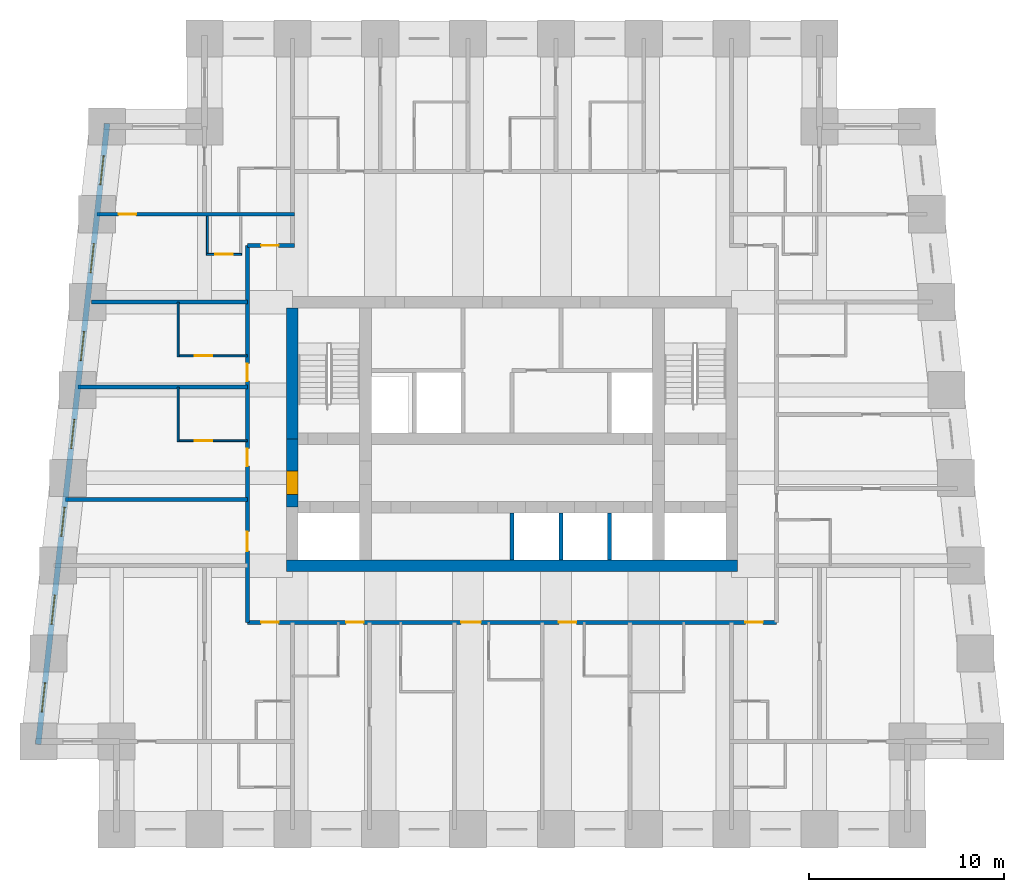
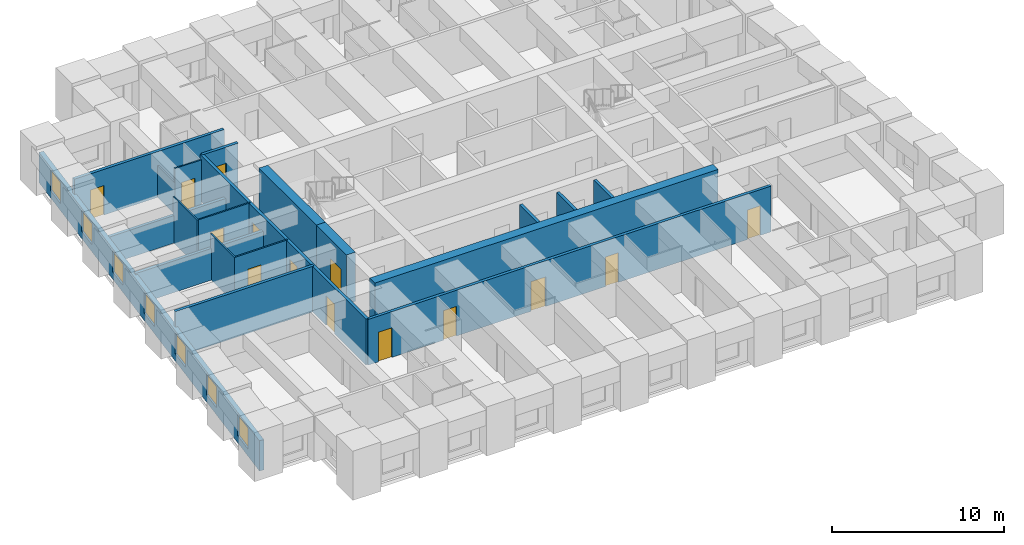
# One storey, part 3 of 8: 20 walls, 14 doors, 7 windows, 21 openings.
"""IFC4 building model written with IfcOpenShell, lengths in metres."""

import ifcopenshell
import ifcopenshell.guid

model = None  # the IFC model being written
_history = None  # IfcOwnerHistory: only IFC2X3 demands one
_inside = {}  # id of a spatial element -> (the spatial element, [elements in it])
_under = {}  # id of a project, library or spatial element -> (it, [spatial elements below it])
_declared = {}  # id of a project -> (the project, [libraries it declares])
_typed = {}  # id of a type object -> (the type object, [elements of that type])
_made_of = {}  # id of a material, layer set ... -> (it, [elements and type objects made of it])


def new_model(schema):
    """Start an empty IFC model of exactly this schema.

    Asked for "IFC4X3", IfcOpenShell would pick the latest addendum, in which some entities
    have other attributes; the version numbers below select the first issue.
    IFC2X3 requires an IfcOwnerHistory on every rooted entity: one is made here for all.
    """
    global model, _history
    if schema == "IFC4X3":
        model = ifcopenshell.file(schema_version=(4, 3, 0, 0))
    else:
        model = ifcopenshell.file(schema=schema)
    _inside.clear()
    _under.clear()
    _declared.clear()
    _typed.clear()
    _made_of.clear()
    _history = None
    if model.schema == "IFC2X3":
        org = make("IfcOrganization", Name="unknown")
        user = make(
            "IfcPersonAndOrganization",
            ThePerson=make("IfcPerson", FamilyName="unknown"),
            TheOrganization=org,
        )
        app = make(
            "IfcApplication",
            ApplicationDeveloper=org,
            Version="unknown",
            ApplicationFullName="unknown",
            ApplicationIdentifier="unknown",
        )
        _history = make(
            "IfcOwnerHistory",
            OwningUser=user,
            OwningApplication=app,
            ChangeAction="ADDED",
            CreationDate=0,
        )
    return model


def make(cls, **values):
    """One entity of the class cls with the attributes given. An attribute that is None is left unset."""
    return model.create_entity(
        cls, **{name: value for name, value in values.items() if value is not None}
    )


def rooted(cls, **values):
    """An entity with a GlobalId (a new one), such as an element, a storey or a relation."""
    return make(cls, GlobalId=ifcopenshell.guid.new(), OwnerHistory=_history, **values)


def si_unit(unit_type, name, prefix=None):
    """IfcSIUnit, for example si_unit("LENGTHUNIT", "METRE", prefix="MILLI")."""
    return make("IfcSIUnit", UnitType=unit_type, Prefix=prefix, Name=name)


def assignment(units):
    """IfcUnitAssignment: the units of a project."""
    return None if units is None else make("IfcUnitAssignment", Units=units)


def point(xyz):
    """IfcCartesianPoint."""
    return None if xyz is None else make("IfcCartesianPoint", Coordinates=xyz)


def direction(xyz):
    """IfcDirection."""
    return None if xyz is None else make("IfcDirection", DirectionRatios=xyz)


def frame(location, z_axis=None, x_axis=None):
    """IfcAxis2Placement3D, a coordinate frame: its origin and axes. An axis left out is left unset."""
    return make(
        "IfcAxis2Placement3D",
        Location=point(location),
        Axis=direction(z_axis),
        RefDirection=direction(x_axis),
    )


def frame_2d(location, x_axis=None):
    """IfcAxis2Placement2D, a coordinate frame in the plane: its origin and x axis."""
    return make(
        "IfcAxis2Placement2D", Location=point(location), RefDirection=direction(x_axis)
    )


def origin():
    """The frame at (0, 0, 0) with its axes left unset."""
    return frame((0.0, 0.0, 0.0))


def place(relative_to, where):
    """IfcLocalPlacement: puts the frame where relative to a parent placement (None: the world)."""
    return make(
        "IfcLocalPlacement", PlacementRelTo=relative_to, RelativePlacement=where
    )


def context(
    kind, dimensions, precision=None, world=None, true_north=None, identifier=None
):
    """IfcGeometricRepresentationContext, for example the 3D "Model" context."""
    return make(
        "IfcGeometricRepresentationContext",
        ContextIdentifier=identifier,
        ContextType=kind,
        CoordinateSpaceDimension=dimensions,
        Precision=precision,
        WorldCoordinateSystem=world,
        TrueNorth=true_north,
    )


def subcontext(parent, identifier, kind, view, scale=None):
    """IfcGeometricRepresentationSubContext, for example "Body" below "Model"."""
    return make(
        "IfcGeometricRepresentationSubContext",
        ContextIdentifier=identifier,
        ContextType=kind,
        ParentContext=parent,
        TargetScale=scale,
        TargetView=view,
    )


def project(units=None, contexts=None):
    """IfcProject with its units and contexts."""
    return rooted(
        "IfcProject",
        Name="project",
        RepresentationContexts=contexts,
        UnitsInContext=assignment(units),
    )


def spatial(cls, under=None, at=None, **own):
    """A site, building, storey or space (cls), placed at a placement, below another one or the project."""
    s = rooted(cls, ObjectPlacement=at, **own)
    if under is not None:
        _under.setdefault(under.id(), (under, []))[1].append(s)
    return s


def profile(cls, at=None, kind="AREA", **sizes):
    """A parametric profile (cls). Its sizes go by their IFC names, for example OverallWidth=200.0."""
    return make(cls, ProfileType=kind, Position=at, **sizes)


def rectangle(**sizes):
    """IfcRectangleProfileDef."""
    return profile("IfcRectangleProfileDef", **sizes)


def extrude(swept, where, along, depth):
    """IfcExtrudedAreaSolid: the profile swept, set in the frame where, extruded along a direction by depth."""
    return make(
        "IfcExtrudedAreaSolid",
        SweptArea=swept,
        Position=where,
        ExtrudedDirection=direction(along),
        Depth=depth,
    )


def shape(context_of_items, identifier, shape_type, items):
    """IfcShapeRepresentation: the items that make up one representation, for example the "Body"."""
    return make(
        "IfcShapeRepresentation",
        ContextOfItems=context_of_items,
        RepresentationIdentifier=identifier,
        RepresentationType=shape_type,
        Items=items,
    )


def material(Name=None, Category=None):
    """IfcMaterial."""
    return make("IfcMaterial", Name=Name, Category=Category)


def layer(
    of_material, thickness, ventilated=None, Name=None, Category=None, Priority=None
):
    """IfcMaterialLayer: one layer of a wall or slab, of a material (None: an air gap)."""
    return make(
        "IfcMaterialLayer",
        Material=of_material,
        LayerThickness=thickness,
        IsVentilated=ventilated,
        Name=Name,
        Category=Category,
        Priority=Priority,
    )


def layer_set(layers, Name=None):
    """IfcMaterialLayerSet."""
    return make("IfcMaterialLayerSet", MaterialLayers=layers, LayerSetName=Name)


def made_of(thing, what):
    """Note that an element or type object is made of a material, layer set ...; save() writes the relation."""
    if what is not None:
        _made_of.setdefault(what.id(), (what, []))[1].append(thing)
    return thing


def type_object(cls, material=None, **own):
    """A type object (cls), such as IfcWallType, which elements share."""
    return made_of(rooted(cls, **own), material)


def element(
    cls,
    number,
    at=None,
    inside=None,
    cuts=None,
    type_object=None,
    material=None,
    context=None,
    identifier="Body",
    shape_type=None,
    held_by="IfcProductDefinitionShape",
    body=None,
    shapes=None,
    **own,
):
    """One element of the class cls, such as IfcWall. Its Tag is "e" and its number.

    at: its placement. inside: the storey or other place that contains it. cuts: it is an
    opening in that element (IfcRelVoidsElement). A single representation is given by context,
    identifier, shape_type and body (its items); several are given by shapes. held_by: the class
    of the entity that holds the representations. save() writes the other relations.
    """
    e = rooted(cls, Tag="e%d" % number, ObjectPlacement=at, **own)
    if body is not None:
        shapes = [shape(context, identifier, shape_type, body)]
    if shapes is not None:
        e.Representation = make(held_by, Representations=shapes)
    if inside is not None:
        _inside.setdefault(inside.id(), (inside, []))[1].append(e)
    if cuts is not None:
        rooted(
            "IfcRelVoidsElement", RelatingBuildingElement=cuts, RelatedOpeningElement=e
        )
    if type_object is not None:
        _typed.setdefault(type_object.id(), (type_object, []))[1].append(e)
    return made_of(e, material)


def fill(opening, filler):
    """IfcRelFillsElement: the door or window that sits in an opening."""
    return rooted(
        "IfcRelFillsElement",
        RelatingOpeningElement=opening,
        RelatedBuildingElement=filler,
    )


def aggregate(whole, parts):
    """IfcRelAggregates: a whole, such as a stair, and the parts it consists of."""
    return rooted("IfcRelAggregates", RelatingObject=whole, RelatedObjects=parts)


def save(model, path):
    """Write the relations noted so far, then the file.

    IfcRelAggregates (storeys below a building ...), IfcRelContainedInSpatialStructure (elements
    in a storey), IfcRelDefinesByType, IfcRelAssociatesMaterial and IfcRelDeclares: one each for
    every whole, place, type object, material and project.
    """
    for whole, parts in _under.values():
        aggregate(whole, parts)
    for where, things in _inside.values():
        rooted(
            "IfcRelContainedInSpatialStructure",
            RelatedElements=things,
            RelatingStructure=where,
        )
    for kind, things in _typed.values():
        rooted("IfcRelDefinesByType", RelatedObjects=things, RelatingType=kind)
    for what, things in _made_of.values():
        rooted("IfcRelAssociatesMaterial", RelatedObjects=things, RelatingMaterial=what)
    for by, libraries in _declared.values():
        rooted("IfcRelDeclares", RelatingContext=by, RelatedDefinitions=libraries)
    model.write(path)


model = new_model("IFC4")

# Units and contexts
model_context = context("Model", 3, precision=1e-05, world=origin(), true_north=direction((0.0, 1.0)))
body_context = subcontext(model_context, "Body", "Model", "MODEL_VIEW")
ifc_project = project(units=[si_unit("LENGTHUNIT", "METRE"), si_unit("AREAUNIT", "SQUARE_METRE"), si_unit("VOLUMEUNIT", "CUBIC_METRE"), si_unit("PLANEANGLEUNIT", "RADIAN"), si_unit("MASSUNIT", "GRAM", prefix="KILO")], contexts=[model_context])

# Site, building, storey
site_placement = place(None, origin())
site = spatial("IfcSite", under=ifc_project, at=site_placement, CompositionType="ELEMENT")
building_placement = place(site_placement, origin())
building = spatial("IfcBuilding", under=site, at=building_placement, Name="Kilele Tower Hotel", CompositionType="ELEMENT")
storey_placement = place(building_placement, frame((0.0, 0.0, 131.89990234375)))
storey = spatial("IfcBuildingStorey", under=building, at=storey_placement, Name="L34", CompositionType="ELEMENT", Elevation=131.89990234375)

# Wall
ifc_material_1 = material(Name="Moisture-resistant board")
ifc_layer_1 = layer(ifc_material_1, 0.10009765625)
ifc_layer_set_1 = layer_set([ifc_layer_1], Name="Moisture-resistant board")
wall_type_1 = type_object("IfcWallType", Name="Bathroom partition 100", PredefinedType="PLUMBINGWALL", material=ifc_layer_set_1)
wall_1_placement = place(storey_placement, frame((7.64990234375, 19.85009765625, 0.0), z_axis=(0.0, 0.0, 1.0), x_axis=(0.0, 1.0, 0.0)))
element("IfcWall", 1, at=wall_1_placement, inside=storey, type_object=wall_type_1, Name="Bathroom partition 100 L34", PredefinedType="PLUMBINGWALL", context=body_context, shape_type="SweptSolid", body=[
    extrude(rectangle(XDim=2.7998046875, YDim=0.10009765625, at=frame_2d((1.39990234375, 0.0))), origin(), (0.0, 0.0, 1.0), 3.25),
])

# Wall, opening, door
wall_2_placement = place(storey_placement, frame((11.199951171875, 19.89990234375, 0.0), z_axis=(0.0, 0.0, 1.0), x_axis=(-1.0, 0.0, 0.0)))
wall_2 = element("IfcWall", 2, at=wall_2_placement, inside=storey, type_object=wall_type_1, Name="Bathroom partition 100 L34", PredefinedType="PLUMBINGWALL", context=body_context, shape_type="SweptSolid", body=[
    extrude(rectangle(XDim=3.599853515625, YDim=0.10009765625, at=frame_2d((1.7998046875, 0.0))), origin(), (0.0, 0.0, 1.0), 3.25),
])
opening_1_placement = place(wall_2_placement, frame((1.800048828125, 0.0, 0.0)))
opening_1 = element("IfcOpeningElement", 3, at=opening_1_placement, cuts=wall_2, Name="Opening D2A", PredefinedType="OPENING", context=body_context, shape_type="SweptSolid", body=[
    extrude(rectangle(XDim=0.89990234375, YDim=2.10009765625, at=frame_2d((0.449951171875, 1.050048828125))), frame((0.0, 0.06005859375, 0.0), z_axis=(0.0, -1.0, 0.0), x_axis=(1.0, 0.0, 0.0)), (0.0, 0.0, 1.0), 0.1201171875),
])
ifc_material_2 = material(Name="Timber door leaf in hardwood frame", Category="wood")
door_type_1 = type_object("IfcDoorType", Name="Bathroom door 900", OperationType="SINGLE_SWING_LEFT", PredefinedType="DOOR", material=ifc_material_2)
door_1_placement = place(opening_1_placement, origin())
door_1 = element("IfcDoor", 4, at=door_1_placement, inside=storey, type_object=door_type_1, Name="Bathroom door 3415B", OperationType="SINGLE_SWING_RIGHT", OverallHeight=2.10009765625, OverallWidth=0.89990234375, PredefinedType="DOOR", context=body_context, shape_type="SweptSolid", body=[
    extrude(rectangle(XDim=0.89990234375, YDim=2.10009765625, at=frame_2d((0.449951171875, 1.050048828125))), frame((0.0, 0.02490234375, 0.0), z_axis=(0.0, -1.0, 0.0), x_axis=(1.0, 0.0, 0.0)), (0.0, 0.0, 1.0), 0.050048828125),
])
fill(opening_1, door_1)

# Wall
wall_3_placement = place(storey_placement, frame((7.64990234375, 24.199951171875, 0.0), z_axis=(0.0, 0.0, 1.0), x_axis=(0.0, 1.0, 0.0)))
element("IfcWall", 5, at=wall_3_placement, inside=storey, type_object=wall_type_1, Name="Bathroom partition 100 L34", PredefinedType="PLUMBINGWALL", context=body_context, shape_type="SweptSolid", body=[
    extrude(rectangle(XDim=2.800048828125, YDim=0.10009765625, at=frame_2d((1.39990234375, 0.0))), origin(), (0.0, 0.0, 1.0), 3.25),
])

# Wall, opening, door
wall_4_placement = place(storey_placement, frame((11.199951171875, 24.25, 0.0), z_axis=(0.0, 0.0, 1.0), x_axis=(-1.0, 0.0, 0.0)))
wall_4 = element("IfcWall", 6, at=wall_4_placement, inside=storey, type_object=wall_type_1, Name="Bathroom partition 100 L34", PredefinedType="PLUMBINGWALL", context=body_context, shape_type="SweptSolid", body=[
    extrude(rectangle(XDim=3.599853515625, YDim=0.10009765625, at=frame_2d((1.7998046875, 0.0))), origin(), (0.0, 0.0, 1.0), 3.25),
])
opening_2_placement = place(wall_4_placement, frame((1.800048828125, 0.0, 0.0)))
opening_2 = element("IfcOpeningElement", 7, at=opening_2_placement, cuts=wall_4, Name="Opening D2A", PredefinedType="OPENING", context=body_context, shape_type="SweptSolid", body=[
    extrude(rectangle(XDim=0.89990234375, YDim=2.10009765625, at=frame_2d((0.449951171875, 1.050048828125))), frame((0.0, 0.06005859375, 0.0), z_axis=(0.0, -1.0, 0.0), x_axis=(1.0, 0.0, 0.0)), (0.0, 0.0, 1.0), 0.1201171875),
])
door_2_placement = place(opening_2_placement, origin())
door_2 = element("IfcDoor", 8, at=door_2_placement, inside=storey, type_object=door_type_1, Name="Bathroom door 3416B", OperationType="SINGLE_SWING_RIGHT", OverallHeight=2.10009765625, OverallWidth=0.89990234375, PredefinedType="DOOR", context=body_context, shape_type="SweptSolid", body=[
    extrude(rectangle(XDim=0.89990234375, YDim=2.10009765625, at=frame_2d((0.449951171875, 1.050048828125))), frame((0.0, 0.02490234375, 0.0), z_axis=(0.0, -1.0, 0.0), x_axis=(1.0, 0.0, 0.0)), (0.0, 0.0, 1.0), 0.050048828125),
])
fill(opening_2, door_2)

# Wall
wall_5_placement = place(storey_placement, frame((9.14990234375, 31.39990234375, 0.0), z_axis=(0.0, 0.0, 1.0), x_axis=(0.0, -1.0, 0.0)))
element("IfcWall", 9, at=wall_5_placement, inside=storey, type_object=wall_type_1, Name="Bathroom partition 100 L34", PredefinedType="PLUMBINGWALL", context=body_context, shape_type="SweptSolid", body=[
    extrude(rectangle(XDim=2.0, YDim=0.10009765625, at=frame_2d((1.0, 0.0))), origin(), (0.0, 0.0, 1.0), 2.25),
])

# Wall, opening, door
wall_6_placement = place(storey_placement, frame((10.89990234375, 29.449951171875, 0.0), z_axis=(0.0, 0.0, 1.0), x_axis=(-1.0, 0.0, 0.0)))
wall_6 = element("IfcWall", 10, at=wall_6_placement, inside=storey, type_object=wall_type_1, Name="Bathroom partition 100 L34", PredefinedType="PLUMBINGWALL", context=body_context, shape_type="SweptSolid", body=[
    extrude(rectangle(XDim=1.7998046875, YDim=0.10009765625, at=frame_2d((0.89990234375, 0.0))), origin(), (0.0, 0.0, 1.0), 3.25),
])
opening_3_placement = place(wall_6_placement, frame((0.449951171875, 0.0, 0.0)))
opening_3 = element("IfcOpeningElement", 11, at=opening_3_placement, cuts=wall_6, Name="Opening D2A", PredefinedType="OPENING", context=body_context, shape_type="SweptSolid", body=[
    extrude(rectangle(XDim=0.89990234375, YDim=2.10009765625, at=frame_2d((0.449951171875, 1.050048828125))), frame((0.0, 0.06005859375, 0.0), z_axis=(0.0, -1.0, 0.0), x_axis=(1.0, 0.0, 0.0)), (0.0, 0.0, 1.0), 0.1201171875),
])
door_3_placement = place(opening_3_placement, origin())
door_3 = element("IfcDoor", 12, at=door_3_placement, inside=storey, type_object=door_type_1, Name="Bathroom door 3426P", OperationType="SINGLE_SWING_LEFT", OverallHeight=2.10009765625, OverallWidth=0.89990234375, PredefinedType="DOOR", context=body_context, shape_type="SweptSolid", body=[
    extrude(rectangle(XDim=0.89990234375, YDim=2.10009765625, at=frame_2d((0.449951171875, 1.050048828125))), frame((0.0, 0.02490234375, 0.0), z_axis=(0.0, -1.0, 0.0), x_axis=(1.0, 0.0, 0.0)), (0.0, 0.0, 1.0), 0.050048828125),
])
fill(opening_3, door_3)

# Walls
ifc_material_3 = material(Name="Concrete C60/75", Category="concrete")
ifc_layer_2 = layer(ifc_material_3, 0.60009765625)
ifc_layer_set_2 = layer_set([ifc_layer_2], Name="Concrete C60/75")
wall_type_2 = type_object("IfcWallType", Name="Core wall 600 C60/75", PredefinedType="SHEAR", material=ifc_layer_set_2)
wall_7_placement = place(storey_placement, frame((13.199951171875, 13.5, 0.0), z_axis=(0.0, 0.0, 1.0), x_axis=(1.0, 0.0, 0.0)))
element("IfcWall", 13, at=wall_7_placement, inside=storey, type_object=wall_type_2, Name="Core wall S L34", PredefinedType="SHEAR", context=body_context, shape_type="SweptSolid", body=[
    extrude(rectangle(XDim=23.10009765625, YDim=0.60009765625, at=frame_2d((11.550048828125, 0.0))), origin(), (0.0, 0.0, 1.0), 3.5),
])
wall_8_placement = place(storey_placement, frame((13.5, 26.699951171875, 0.0), z_axis=(0.0, 0.0, 1.0), x_axis=(0.0, -1.0, 0.0)))
element("IfcWall", 14, at=wall_8_placement, inside=storey, type_object=wall_type_2, Name="Core wall W1 L34", PredefinedType="SHEAR", context=body_context, shape_type="SweptSolid", body=[
    extrude(rectangle(XDim=6.699951171875, YDim=0.60009765625, at=frame_2d((3.35009765625, 0.0))), origin(), (0.0, 0.0, 1.0), 3.5),
])

# Wall, opening, door
wall_9_placement = place(storey_placement, frame((13.5, 20.0, 0.0), z_axis=(0.0, 0.0, 1.0), x_axis=(0.0, -1.0, 0.0)))
wall_9 = element("IfcWall", 15, at=wall_9_placement, inside=storey, type_object=wall_type_2, Name="Core wall W2 L34", PredefinedType="SHEAR", context=body_context, shape_type="SweptSolid", body=[
    extrude(rectangle(XDim=3.5, YDim=0.60009765625, at=frame_2d((1.75, 0.0))), origin(), (0.0, 0.0, 1.0), 3.5),
])
opening_4_placement = place(wall_9_placement, frame((1.64990234375, 0.0, 0.0)))
opening_4 = element("IfcOpeningElement", 16, at=opening_4_placement, cuts=wall_9, Name="Opening D4", PredefinedType="OPENING", context=body_context, shape_type="SweptSolid", body=[
    extrude(rectangle(XDim=1.199951171875, YDim=2.10009765625, at=frame_2d((0.60009765625, 1.050048828125))), frame((0.0, 0.31005859375, 0.0), z_axis=(0.0, -1.0, 0.0), x_axis=(1.0, 0.0, 0.0)), (0.0, 0.0, 1.0), 0.6201171875),
])
ifc_material_4 = material(Name="Timber door leaf in hardwood frame", Category="wood")
door_type_2 = type_object("IfcDoorType", Name="Firefighting lobby door 1200", OperationType="SINGLE_SWING_LEFT", PredefinedType="DOOR", material=ifc_material_4)
door_4_placement = place(opening_4_placement, origin())
door_4 = element("IfcDoor", 17, at=door_4_placement, inside=storey, type_object=door_type_2, Name="Lobby door L34", OperationType="SINGLE_SWING_RIGHT", OverallHeight=2.10009765625, OverallWidth=1.199951171875, PredefinedType="DOOR", context=body_context, shape_type="SweptSolid", body=[
    extrude(rectangle(XDim=1.199951171875, YDim=2.10009765625, at=frame_2d((0.60009765625, 1.050048828125))), frame((0.0, 0.2998046875, 0.0), z_axis=(0.0, -1.0, 0.0), x_axis=(1.0, 0.0, 0.0)), (0.0, 0.0, 1.0), 0.599609375),
])
fill(opening_4, door_4)

# Wall, openings, doors
ifc_material_5 = material(Name="Blockwork, plastered both sides", Category="masonry")
ifc_layer_3 = layer(ifc_material_5, 0.199951171875)
ifc_layer_set_3 = layer_set([ifc_layer_3], Name="Blockwork, plastered both sides")
wall_type_3 = type_object("IfcWallType", Name="Corridor wall 200", PredefinedType="PARTITIONING", material=ifc_layer_set_3)
wall_10_placement = place(storey_placement, frame((11.199951171875, 10.60009765625, 0.0), z_axis=(0.0, 0.0, 1.0), x_axis=(1.0, 0.0, 0.0)))
wall_10 = element("IfcWall", 18, at=wall_10_placement, inside=storey, type_object=wall_type_3, Name="Corridor wall 200 L34", PredefinedType="PARTITIONING", context=body_context, shape_type="SweptSolid", body=[
    extrude(rectangle(XDim=27.10009765625, YDim=0.199951171875, at=frame_2d((13.550048828125, 0.0))), origin(), (0.0, 0.0, 1.0), 3.25),
])
opening_5_placement = place(wall_10_placement, frame((5.949951171875, 0.0, 0.0), z_axis=(0.0, 0.0, 1.0), x_axis=(-1.0, 0.0, 0.0)))
opening_5 = element("IfcOpeningElement", 19, at=opening_5_placement, cuts=wall_10, Name="Opening D1", PredefinedType="OPENING", context=body_context, shape_type="SweptSolid", body=[
    extrude(rectangle(XDim=0.89990234375, YDim=2.10009765625, at=frame_2d((0.449951171875, 1.050048828125))), frame((0.0, 0.10986328125, 0.0), z_axis=(0.0, -1.0, 0.0), x_axis=(1.0, 0.0, 0.0)), (0.0, 0.0, 1.0), 0.219970703125),
])
opening_6_placement = place(wall_10_placement, frame((11.949951171875, 0.0, 0.0), z_axis=(0.0, 0.0, 1.0), x_axis=(-1.0, 0.0, 0.0)))
opening_6 = element("IfcOpeningElement", 20, at=opening_6_placement, cuts=wall_10, Name="Opening D1A", PredefinedType="OPENING", context=body_context, shape_type="SweptSolid", body=[
    extrude(rectangle(XDim=1.0, YDim=2.10009765625, at=frame_2d((0.5, 1.050048828125))), frame((0.0, 0.10986328125, 0.0), z_axis=(0.0, -1.0, 0.0), x_axis=(1.0, 0.0, 0.0)), (0.0, 0.0, 1.0), 0.219970703125),
])
opening_7_placement = place(wall_10_placement, frame((16.849853515625, 0.0, 0.0), z_axis=(0.0, 0.0, 1.0), x_axis=(-1.0, 0.0, 0.0)))
opening_7 = element("IfcOpeningElement", 21, at=opening_7_placement, cuts=wall_10, Name="Opening D1", PredefinedType="OPENING", context=body_context, shape_type="SweptSolid", body=[
    extrude(rectangle(XDim=0.89990234375, YDim=2.10009765625, at=frame_2d((0.449951171875, 1.050048828125))), frame((0.0, 0.10986328125, 0.0), z_axis=(0.0, -1.0, 0.0), x_axis=(1.0, 0.0, 0.0)), (0.0, 0.0, 1.0), 0.219970703125),
])
opening_8_placement = place(wall_10_placement, frame((1.599853515625, 0.0, 0.0), z_axis=(0.0, 0.0, 1.0), x_axis=(-1.0, 0.0, 0.0)))
opening_8 = element("IfcOpeningElement", 22, at=opening_8_placement, cuts=wall_10, Name="Opening D1", PredefinedType="OPENING", context=body_context, shape_type="SweptSolid", body=[
    extrude(rectangle(XDim=0.89990234375, YDim=2.10009765625, at=frame_2d((0.449951171875, 1.050048828125))), frame((0.0, 0.10986328125, 0.0), z_axis=(0.0, -1.0, 0.0), x_axis=(1.0, 0.0, 0.0)), (0.0, 0.0, 1.0), 0.219970703125),
])
opening_9_placement = place(wall_10_placement, frame((26.39990234375, 0.0, 0.0), z_axis=(0.0, 0.0, 1.0), x_axis=(-1.0, 0.0, 0.0)))
opening_9 = element("IfcOpeningElement", 23, at=opening_9_placement, cuts=wall_10, Name="Opening D1", PredefinedType="OPENING", context=body_context, shape_type="SweptSolid", body=[
    extrude(rectangle(XDim=0.89990234375, YDim=2.10009765625, at=frame_2d((0.449951171875, 1.050048828125))), frame((0.0, 0.10986328125, 0.0), z_axis=(0.0, -1.0, 0.0), x_axis=(1.0, 0.0, 0.0)), (0.0, 0.0, 1.0), 0.219970703125),
])
ifc_material_6 = material(Name="Timber door leaf in hardwood frame", Category="wood")
door_type_3 = type_object("IfcDoorType", Name="Guest room entrance door 1000", OperationType="SINGLE_SWING_LEFT", PredefinedType="DOOR", material=ifc_material_6)
door_5_placement = place(opening_6_placement, origin())
door_5 = element("IfcDoor", 24, at=door_5_placement, inside=storey, type_object=door_type_3, Name="Room entrance 3403", OperationType="SINGLE_SWING_RIGHT", OverallHeight=2.10009765625, OverallWidth=1.0, PredefinedType="DOOR", context=body_context, shape_type="SweptSolid", body=[
    extrude(rectangle(XDim=1.0, YDim=2.10009765625, at=frame_2d((0.5, 1.050048828125))), frame((0.0, 0.02490234375, 0.0), z_axis=(0.0, -1.0, 0.0), x_axis=(1.0, 0.0, 0.0)), (0.0, 0.0, 1.0), 0.050048828125),
])
fill(opening_6, door_5)
ifc_material_7 = material(Name="Timber door leaf in hardwood frame", Category="wood")
door_type_4 = type_object("IfcDoorType", Name="Guest room entrance door 900", OperationType="SINGLE_SWING_LEFT", PredefinedType="DOOR", material=ifc_material_7)
door_6_placement = place(opening_5_placement, origin())
door_6 = element("IfcDoor", 25, at=door_6_placement, inside=storey, type_object=door_type_4, Name="Room entrance 3401", OperationType="SINGLE_SWING_LEFT", OverallHeight=2.10009765625, OverallWidth=0.89990234375, PredefinedType="DOOR", context=body_context, shape_type="SweptSolid", body=[
    extrude(rectangle(XDim=0.89990234375, YDim=2.10009765625, at=frame_2d((0.449951171875, 1.050048828125))), frame((0.0, 0.02490234375, 0.0), z_axis=(0.0, -1.0, 0.0), x_axis=(1.0, 0.0, 0.0)), (0.0, 0.0, 1.0), 0.050048828125),
])
fill(opening_5, door_6)
door_7_placement = place(opening_7_placement, origin())
door_7 = element("IfcDoor", 26, at=door_7_placement, inside=storey, type_object=door_type_4, Name="Room entrance 3404", OperationType="SINGLE_SWING_LEFT", OverallHeight=2.10009765625, OverallWidth=0.89990234375, PredefinedType="DOOR", context=body_context, shape_type="SweptSolid", body=[
    extrude(rectangle(XDim=0.89990234375, YDim=2.10009765625, at=frame_2d((0.449951171875, 1.050048828125))), frame((0.0, 0.02490234375, 0.0), z_axis=(0.0, -1.0, 0.0), x_axis=(1.0, 0.0, 0.0)), (0.0, 0.0, 1.0), 0.050048828125),
])
fill(opening_7, door_7)
door_8_placement = place(opening_8_placement, origin())
door_8 = element("IfcDoor", 27, at=door_8_placement, inside=storey, type_object=door_type_4, Name="Room entrance 3417", OperationType="SINGLE_SWING_LEFT", OverallHeight=2.10009765625, OverallWidth=0.89990234375, PredefinedType="DOOR", context=body_context, shape_type="SweptSolid", body=[
    extrude(rectangle(XDim=0.89990234375, YDim=2.10009765625, at=frame_2d((0.449951171875, 1.050048828125))), frame((0.0, 0.02490234375, 0.0), z_axis=(0.0, -1.0, 0.0), x_axis=(1.0, 0.0, 0.0)), (0.0, 0.0, 1.0), 0.050048828125),
])
fill(opening_8, door_8)
door_9_placement = place(opening_9_placement, origin())
door_9 = element("IfcDoor", 28, at=door_9_placement, inside=storey, type_object=door_type_4, Name="Room entrance 3420", OperationType="SINGLE_SWING_RIGHT", OverallHeight=2.10009765625, OverallWidth=0.89990234375, PredefinedType="DOOR", context=body_context, shape_type="SweptSolid", body=[
    extrude(rectangle(XDim=0.89990234375, YDim=2.10009765625, at=frame_2d((0.449951171875, 1.050048828125))), frame((0.0, 0.02490234375, 0.0), z_axis=(0.0, -1.0, 0.0), x_axis=(1.0, 0.0, 0.0)), (0.0, 0.0, 1.0), 0.050048828125),
])
fill(opening_9, door_9)

# Wall, opening, door
wall_11_placement = place(storey_placement, frame((11.199951171875, 29.89990234375, 0.0), z_axis=(0.0, 0.0, 1.0), x_axis=(1.0, 0.0, 0.0)))
wall_11 = element("IfcWall", 29, at=wall_11_placement, inside=storey, type_object=wall_type_3, Name="Corridor wall 200 L34", PredefinedType="PARTITIONING", context=body_context, shape_type="SweptSolid", body=[
    extrude(rectangle(XDim=2.400146484375, YDim=0.199951171875, at=frame_2d((1.2001953125, 0.0))), origin(), (0.0, 0.0, 1.0), 3.25),
])
opening_10_placement = place(wall_11_placement, frame((0.699951171875, 0.0, 0.0)))
opening_10 = element("IfcOpeningElement", 30, at=opening_10_placement, cuts=wall_11, Name="Opening D1", PredefinedType="OPENING", context=body_context, shape_type="SweptSolid", body=[
    extrude(rectangle(XDim=0.89990234375, YDim=2.10009765625, at=frame_2d((0.449951171875, 1.050048828125))), frame((0.0, 0.10986328125, 0.0), z_axis=(0.0, -1.0, 0.0), x_axis=(1.0, 0.0, 0.0)), (0.0, 0.0, 1.0), 0.219970703125),
])
door_10_placement = place(opening_10_placement, origin())
door_10 = element("IfcDoor", 31, at=door_10_placement, inside=storey, type_object=door_type_4, Name="Room entrance 3426", OperationType="SINGLE_SWING_RIGHT", OverallHeight=2.10009765625, OverallWidth=0.89990234375, PredefinedType="DOOR", context=body_context, shape_type="SweptSolid", body=[
    extrude(rectangle(XDim=0.89990234375, YDim=2.10009765625, at=frame_2d((0.449951171875, 1.050048828125))), frame((0.0, 0.02490234375, 0.0), z_axis=(0.0, -1.0, 0.0), x_axis=(1.0, 0.0, 0.0)), (0.0, 0.0, 1.0), 0.050048828125),
])
fill(opening_10, door_10)

# Wall, openings, doors
wall_12_placement = place(storey_placement, frame((11.199951171875, 10.60009765625, 0.0), z_axis=(0.0, 0.0, 1.0), x_axis=(0.0, 1.0, 0.0)))
wall_12 = element("IfcWall", 32, at=wall_12_placement, inside=storey, type_object=wall_type_3, Name="Corridor wall 200 L34", PredefinedType="PARTITIONING", context=body_context, shape_type="SweptSolid", body=[
    extrude(rectangle(XDim=19.2998046875, YDim=0.199951171875, at=frame_2d((9.64990234375, 0.0))), origin(), (0.0, 0.0, 1.0), 3.25),
])
opening_11_placement = place(wall_12_placement, frame((3.64990234375, 0.0, 0.0)))
opening_11 = element("IfcOpeningElement", 33, at=opening_11_placement, cuts=wall_12, Name="Opening D8", PredefinedType="OPENING", context=body_context, shape_type="SweptSolid", body=[
    extrude(rectangle(XDim=1.0, YDim=2.10009765625, at=frame_2d((0.5, 1.050048828125))), frame((0.0, 0.10986328125, 0.0), z_axis=(0.0, -1.0, 0.0), x_axis=(1.0, 0.0, 0.0)), (0.0, 0.0, 1.0), 0.219970703125),
])
opening_12_placement = place(wall_12_placement, frame((8.0, 0.0, 0.0)))
opening_12 = element("IfcOpeningElement", 34, at=opening_12_placement, cuts=wall_12, Name="Opening D1", PredefinedType="OPENING", context=body_context, shape_type="SweptSolid", body=[
    extrude(rectangle(XDim=0.89990234375, YDim=2.10009765625, at=frame_2d((0.449951171875, 1.050048828125))), frame((0.0, 0.10986328125, 0.0), z_axis=(0.0, -1.0, 0.0), x_axis=(1.0, 0.0, 0.0)), (0.0, 0.0, 1.0), 0.219970703125),
])
opening_13_placement = place(wall_12_placement, frame((12.35009765625, 0.0, 0.0)))
opening_13 = element("IfcOpeningElement", 35, at=opening_13_placement, cuts=wall_12, Name="Opening D1", PredefinedType="OPENING", context=body_context, shape_type="SweptSolid", body=[
    extrude(rectangle(XDim=0.89990234375, YDim=2.10009765625, at=frame_2d((0.449951171875, 1.050048828125))), frame((0.0, 0.10986328125, 0.0), z_axis=(0.0, -1.0, 0.0), x_axis=(1.0, 0.0, 0.0)), (0.0, 0.0, 1.0), 0.219970703125),
])
ifc_material_8 = material(Name="Timber door leaf in hardwood frame", Category="wood")
door_type_5 = type_object("IfcDoorType", Name="Door 1000", OperationType="SINGLE_SWING_LEFT", PredefinedType="DOOR", material=ifc_material_8)
door_11_placement = place(opening_11_placement, origin())
door_11 = element("IfcDoor", 36, at=door_11_placement, inside=storey, type_object=door_type_5, Name="Room entrance 3414", OperationType="SINGLE_SWING_LEFT", OverallHeight=2.10009765625, OverallWidth=1.0, PredefinedType="DOOR", context=body_context, shape_type="SweptSolid", body=[
    extrude(rectangle(XDim=1.0, YDim=2.10009765625, at=frame_2d((0.5, 1.050048828125))), frame((0.0, 0.02490234375, 0.0), z_axis=(0.0, -1.0, 0.0), x_axis=(1.0, 0.0, 0.0)), (0.0, 0.0, 1.0), 0.050048828125),
])
fill(opening_11, door_11)
door_12_placement = place(opening_12_placement, origin())
door_12 = element("IfcDoor", 37, at=door_12_placement, inside=storey, type_object=door_type_4, Name="Room entrance 3415", OperationType="SINGLE_SWING_RIGHT", OverallHeight=2.10009765625, OverallWidth=0.89990234375, PredefinedType="DOOR", context=body_context, shape_type="SweptSolid", body=[
    extrude(rectangle(XDim=0.89990234375, YDim=2.10009765625, at=frame_2d((0.449951171875, 1.050048828125))), frame((0.0, 0.02490234375, 0.0), z_axis=(0.0, -1.0, 0.0), x_axis=(1.0, 0.0, 0.0)), (0.0, 0.0, 1.0), 0.050048828125),
])
fill(opening_12, door_12)
door_13_placement = place(opening_13_placement, origin())
door_13 = element("IfcDoor", 38, at=door_13_placement, inside=storey, type_object=door_type_4, Name="Room entrance 3416", OperationType="SINGLE_SWING_LEFT", OverallHeight=2.10009765625, OverallWidth=0.89990234375, PredefinedType="DOOR", context=body_context, shape_type="SweptSolid", body=[
    extrude(rectangle(XDim=0.89990234375, YDim=2.10009765625, at=frame_2d((0.449951171875, 1.050048828125))), frame((0.0, 0.02490234375, 0.0), z_axis=(0.0, -1.0, 0.0), x_axis=(1.0, 0.0, 0.0)), (0.0, 0.0, 1.0), 0.050048828125),
])
fill(opening_13, door_13)

# Walls
ifc_material_9 = material(Name="Blockwork, plastered both sides", Category="masonry")
ifc_layer_4 = layer(ifc_material_9, 0.199951171875)
ifc_layer_set_4 = layer_set([ifc_layer_4], Name="Blockwork, plastered both sides")
wall_type_4 = type_object("IfcWallType", Name="Party wall 200", PredefinedType="PARTITIONING", material=ifc_layer_set_4)
wall_13_placement = place(storey_placement, frame((11.199951171875, 16.89990234375, 0.0), z_axis=(0.0, 0.0, 1.0), x_axis=(-1.0, 0.0, 0.0)))
element("IfcWall", 39, at=wall_13_placement, inside=storey, type_object=wall_type_4, Name="Party wall 200 L34", PredefinedType="PARTITIONING", context=body_context, shape_type="SweptSolid", body=[
    extrude(rectangle(XDim=9.3212890625, YDim=0.199951171875, at=frame_2d((4.66064453125, 0.0))), origin(), (0.0, 0.0, 1.0), 3.25),
])
wall_14_placement = place(storey_placement, frame((11.199951171875, 22.64990234375, 0.0), z_axis=(0.0, 0.0, 1.0), x_axis=(-1.0, 0.0, 0.0)))
element("IfcWall", 40, at=wall_14_placement, inside=storey, type_object=wall_type_4, Name="Party wall 200 L34", PredefinedType="PARTITIONING", context=body_context, shape_type="SweptSolid", body=[
    extrude(rectangle(XDim=8.682373046875, YDim=0.199951171875, at=frame_2d((4.34130859375, 0.0))), origin(), (0.0, 0.0, 1.0), 2.25),
])
wall_15_placement = place(storey_placement, frame((11.199951171875, 27.0, 0.0), z_axis=(0.0, 0.0, 1.0), x_axis=(-1.0, 0.0, 0.0)))
element("IfcWall", 41, at=wall_15_placement, inside=storey, type_object=wall_type_4, Name="Party wall 200 L34", PredefinedType="PARTITIONING", context=body_context, shape_type="SweptSolid", body=[
    extrude(rectangle(XDim=7.976806640625, YDim=0.199951171875, at=frame_2d((3.98828125, 0.0))), origin(), (0.0, 0.0, 1.0), 1.9501953125),
])

# Wall, opening, door
wall_16_placement = place(storey_placement, frame((13.60009765625, 31.5, 0.0), z_axis=(0.0, 0.0, 1.0), x_axis=(-1.0, 0.0, 0.0)))
wall_16 = element("IfcWall", 42, at=wall_16_placement, inside=storey, type_object=wall_type_4, Name="Party wall 200 L34", PredefinedType="PARTITIONING", context=body_context, shape_type="SweptSolid", body=[
    extrude(rectangle(XDim=10.09912109375, YDim=0.199951171875, at=frame_2d((5.049560546875, 0.0))), origin(), (0.0, 0.0, 1.0), 3.25),
])
opening_14_placement = place(wall_16_placement, frame((8.9990234375, 0.0, 0.0), z_axis=(0.0, 0.0, 1.0), x_axis=(-1.0, 0.0, 0.0)))
opening_14 = element("IfcOpeningElement", 43, at=opening_14_placement, cuts=wall_16, Name="Opening D3", PredefinedType="OPENING", context=body_context, shape_type="SweptSolid", body=[
    extrude(rectangle(XDim=0.89990234375, YDim=2.10009765625, at=frame_2d((0.449951171875, 1.050048828125))), frame((0.0, 0.10986328125, 0.0), z_axis=(0.0, -1.0, 0.0), x_axis=(1.0, 0.0, 0.0)), (0.0, 0.0, 1.0), 0.219970703125),
])
ifc_material_10 = material(Name="Timber door leaf in hardwood frame", Category="wood")
door_type_6 = type_object("IfcDoorType", Name="Suite internal door 900", OperationType="SINGLE_SWING_LEFT", PredefinedType="DOOR", material=ifc_material_10)
door_14_placement = place(opening_14_placement, origin())
door_14 = element("IfcDoor", 44, at=door_14_placement, inside=storey, type_object=door_type_6, Name="Suite door 3427", OperationType="SINGLE_SWING_LEFT", OverallHeight=2.10009765625, OverallWidth=0.89990234375, PredefinedType="DOOR", context=body_context, shape_type="SweptSolid", body=[
    extrude(rectangle(XDim=0.89990234375, YDim=2.10009765625, at=frame_2d((0.449951171875, 1.050048828125))), frame((0.0, 0.02490234375, 0.0), z_axis=(0.0, -1.0, 0.0), x_axis=(1.0, 0.0, 0.0)), (0.0, 0.0, 1.0), 0.050048828125),
])
fill(opening_14, door_14)

# Wall, openings, windows
ifc_material_11 = material(Name="Concrete C40/50 precast", Category="concrete")
ifc_layer_5 = layer(ifc_material_11, 0.260009765625, Name="Precast backing", Category="LoadBearing")
ifc_material_12 = material(Name="Reconstituted stone finish", Category="masonry")
ifc_layer_6 = layer(ifc_material_12, 0.0400390625, Name="Face mix", Category="Finish")
ifc_layer_set_5 = layer_set([ifc_layer_5, ifc_layer_6], Name="Precast concrete C40/50, reconstituted stone finish")
wall_type_5 = type_object("IfcWallType", Name="Precast stone facade wall 300", PredefinedType="STANDARD", material=ifc_layer_set_5)
wall_17_placement = place(storey_placement, frame((4.0166015625, 36.149169921875, 0.0), z_axis=(0.0, 0.0, 1.0), x_axis=(-0.110433201132, -0.993883548555, 0.0)))
wall_17 = element("IfcWall", 45, at=wall_17_placement, inside=storey, type_object=wall_type_5, Name="Facade wall L34 edge 12", PredefinedType="STANDARD", context=body_context, shape_type="SweptSolid", body=[
    extrude(rectangle(XDim=31.994140625, YDim=0.300048828125, at=frame_2d((15.9970703125, 0.0))), origin(), (0.0, 0.0, 1.0), 2.150146484375),
])
opening_15_placement = place(wall_17_placement, frame((1.6640625, 0.0, 0.5)))
opening_15 = element("IfcOpeningElement", 46, at=opening_15_placement, cuts=wall_17, Name="Opening W2", PredefinedType="OPENING", context=body_context, shape_type="SweptSolid", body=[
    extrude(rectangle(XDim=1.5, YDim=1.5, at=frame_2d((0.75, 0.75))), frame((0.0, 0.159912109375, 0.0), z_axis=(0.0, -1.0, 0.0), x_axis=(1.0, 0.0, 0.0)), (0.0, 0.0, 1.0), 0.320068359375),
])
opening_16_placement = place(wall_17_placement, frame((6.19189453125, 0.0, 0.5)))
opening_16 = element("IfcOpeningElement", 47, at=opening_16_placement, cuts=wall_17, Name="Opening W2", PredefinedType="OPENING", context=body_context, shape_type="SweptSolid", body=[
    extrude(rectangle(XDim=1.5, YDim=1.5, at=frame_2d((0.75, 0.75))), frame((0.0, 0.159912109375, 0.0), z_axis=(0.0, -1.0, 0.0), x_axis=(1.0, 0.0, 0.0)), (0.0, 0.0, 1.0), 0.320068359375),
])
opening_17_placement = place(wall_17_placement, frame((10.718994140625, 0.0, 0.5)))
opening_17 = element("IfcOpeningElement", 48, at=opening_17_placement, cuts=wall_17, Name="Opening W2", PredefinedType="OPENING", context=body_context, shape_type="SweptSolid", body=[
    extrude(rectangle(XDim=1.5, YDim=1.5, at=frame_2d((0.75, 0.75))), frame((0.0, 0.159912109375, 0.0), z_axis=(0.0, -1.0, 0.0), x_axis=(1.0, 0.0, 0.0)), (0.0, 0.0, 1.0), 0.320068359375),
])
opening_18_placement = place(wall_17_placement, frame((15.2470703125, 0.0, 0.5)))
opening_18 = element("IfcOpeningElement", 49, at=opening_18_placement, cuts=wall_17, Name="Opening W2", PredefinedType="OPENING", context=body_context, shape_type="SweptSolid", body=[
    extrude(rectangle(XDim=1.5, YDim=1.5, at=frame_2d((0.75, 0.75))), frame((0.0, 0.159912109375, 0.0), z_axis=(0.0, -1.0, 0.0), x_axis=(1.0, 0.0, 0.0)), (0.0, 0.0, 1.0), 0.320068359375),
])
opening_19_placement = place(wall_17_placement, frame((19.77490234375, 0.0, 0.5)))
opening_19 = element("IfcOpeningElement", 50, at=opening_19_placement, cuts=wall_17, Name="Opening W2", PredefinedType="OPENING", context=body_context, shape_type="SweptSolid", body=[
    extrude(rectangle(XDim=1.5, YDim=1.5, at=frame_2d((0.75, 0.75))), frame((0.0, 0.159912109375, 0.0), z_axis=(0.0, -1.0, 0.0), x_axis=(1.0, 0.0, 0.0)), (0.0, 0.0, 1.0), 0.320068359375),
])
opening_20_placement = place(wall_17_placement, frame((24.302001953125, 0.0, 0.5)))
opening_20 = element("IfcOpeningElement", 51, at=opening_20_placement, cuts=wall_17, Name="Opening W2", PredefinedType="OPENING", context=body_context, shape_type="SweptSolid", body=[
    extrude(rectangle(XDim=1.5, YDim=1.5, at=frame_2d((0.75, 0.75))), frame((0.0, 0.159912109375, 0.0), z_axis=(0.0, -1.0, 0.0), x_axis=(1.0, 0.0, 0.0)), (0.0, 0.0, 1.0), 0.320068359375),
])
opening_21_placement = place(wall_17_placement, frame((28.830078125, 0.0, 0.5)))
opening_21 = element("IfcOpeningElement", 52, at=opening_21_placement, cuts=wall_17, Name="Opening W2", PredefinedType="OPENING", context=body_context, shape_type="SweptSolid", body=[
    extrude(rectangle(XDim=1.5, YDim=1.5, at=frame_2d((0.75, 0.75))), frame((0.0, 0.159912109375, 0.0), z_axis=(0.0, -1.0, 0.0), x_axis=(1.0, 0.0, 0.0)), (0.0, 0.0, 1.0), 0.320068359375),
])
ifc_material_13 = material(Name="Aluminium frame, clear double glazing", Category="aluminium")
window_type = type_object("IfcWindowType", Name="Window W2 1500 x 1500", PartitioningType="SINGLE_PANEL", PredefinedType="WINDOW", material=ifc_material_13)
window_1_placement = place(opening_15_placement, origin())
window_1 = element("IfcWindow", 53, at=window_1_placement, inside=storey, type_object=window_type, Name="Window L34", OverallHeight=1.5, OverallWidth=1.5, PartitioningType="SINGLE_PANEL", PredefinedType="WINDOW", context=body_context, shape_type="SweptSolid", body=[
    extrude(rectangle(XDim=1.5, YDim=1.5, at=frame_2d((0.75, 0.75))), frame((0.0, 0.030029296875, 0.0), z_axis=(0.0, -1.0, 0.0), x_axis=(1.0, 0.0, 0.0)), (0.0, 0.0, 1.0), 0.06005859375),
])
fill(opening_15, window_1)
window_2_placement = place(opening_16_placement, origin())
window_2 = element("IfcWindow", 54, at=window_2_placement, inside=storey, type_object=window_type, Name="Window L34", OverallHeight=1.5, OverallWidth=1.5, PartitioningType="SINGLE_PANEL", PredefinedType="WINDOW", context=body_context, shape_type="SweptSolid", body=[
    extrude(rectangle(XDim=1.5, YDim=1.5, at=frame_2d((0.75, 0.75))), frame((0.0, 0.030029296875, 0.0), z_axis=(0.0, -1.0, 0.0), x_axis=(1.0, 0.0, 0.0)), (0.0, 0.0, 1.0), 0.06005859375),
])
fill(opening_16, window_2)
window_3_placement = place(opening_17_placement, origin())
window_3 = element("IfcWindow", 55, at=window_3_placement, inside=storey, type_object=window_type, Name="Window L34", OverallHeight=1.5, OverallWidth=1.5, PartitioningType="SINGLE_PANEL", PredefinedType="WINDOW", context=body_context, shape_type="SweptSolid", body=[
    extrude(rectangle(XDim=1.5, YDim=1.5, at=frame_2d((0.75, 0.75))), frame((0.0, 0.030029296875, 0.0), z_axis=(0.0, -1.0, 0.0), x_axis=(1.0, 0.0, 0.0)), (0.0, 0.0, 1.0), 0.06005859375),
])
fill(opening_17, window_3)
window_4_placement = place(opening_18_placement, origin())
window_4 = element("IfcWindow", 56, at=window_4_placement, inside=storey, type_object=window_type, Name="Window L34", OverallHeight=1.5, OverallWidth=1.5, PartitioningType="SINGLE_PANEL", PredefinedType="WINDOW", context=body_context, shape_type="SweptSolid", body=[
    extrude(rectangle(XDim=1.5, YDim=1.5, at=frame_2d((0.75, 0.75))), frame((0.0, 0.030029296875, 0.0), z_axis=(0.0, -1.0, 0.0), x_axis=(1.0, 0.0, 0.0)), (0.0, 0.0, 1.0), 0.06005859375),
])
fill(opening_18, window_4)
window_5_placement = place(opening_19_placement, origin())
window_5 = element("IfcWindow", 57, at=window_5_placement, inside=storey, type_object=window_type, Name="Window L34", OverallHeight=1.5, OverallWidth=1.5, PartitioningType="SINGLE_PANEL", PredefinedType="WINDOW", context=body_context, shape_type="SweptSolid", body=[
    extrude(rectangle(XDim=1.5, YDim=1.5, at=frame_2d((0.75, 0.75))), frame((0.0, 0.030029296875, 0.0), z_axis=(0.0, -1.0, 0.0), x_axis=(1.0, 0.0, 0.0)), (0.0, 0.0, 1.0), 0.06005859375),
])
fill(opening_19, window_5)
window_6_placement = place(opening_20_placement, origin())
window_6 = element("IfcWindow", 58, at=window_6_placement, inside=storey, type_object=window_type, Name="Window L34", OverallHeight=1.5, OverallWidth=1.5, PartitioningType="SINGLE_PANEL", PredefinedType="WINDOW", context=body_context, shape_type="SweptSolid", body=[
    extrude(rectangle(XDim=1.5, YDim=1.5, at=frame_2d((0.75, 0.75))), frame((0.0, 0.030029296875, 0.0), z_axis=(0.0, -1.0, 0.0), x_axis=(1.0, 0.0, 0.0)), (0.0, 0.0, 1.0), 0.06005859375),
])
fill(opening_20, window_6)
window_7_placement = place(opening_21_placement, origin())
window_7 = element("IfcWindow", 59, at=window_7_placement, inside=storey, type_object=window_type, Name="Window L34", OverallHeight=1.5, OverallWidth=1.5, PartitioningType="SINGLE_PANEL", PredefinedType="WINDOW", context=body_context, shape_type="SweptSolid", body=[
    extrude(rectangle(XDim=1.5, YDim=1.5, at=frame_2d((0.75, 0.75))), frame((0.0, 0.030029296875, 0.0), z_axis=(0.0, -1.0, 0.0), x_axis=(1.0, 0.0, 0.0)), (0.0, 0.0, 1.0), 0.06005859375),
])
fill(opening_21, window_7)

# Walls
ifc_material_14 = material(Name="Blockwork, fire-rated", Category="masonry")
ifc_layer_7 = layer(ifc_material_14, 0.199951171875)
ifc_layer_set_6 = layer_set([ifc_layer_7], Name="Blockwork, fire-rated")
wall_type_6 = type_object("IfcWallType", Name="Shaft wall 200", PredefinedType="PARTITIONING", material=ifc_layer_set_6)
for number, where, z_axis, x_axis, name in (
    (60, (24.75, 13.800048828125, 0.0), (0.0, 0.0, 1.0), (0.0, 1.0, 0.0), "Shaft wall 200 L34"),
    (61, (27.25, 13.800048828125, 0.0), (0.0, 0.0, 1.0), (0.0, 1.0, 0.0), "Shaft wall 200 L34"),
    (62, (29.75, 13.800048828125, 0.0), (0.0, 0.0, 1.0), (0.0, 1.0, 0.0), "Shaft wall 200 L34"),
):
    element("IfcWall", number, at=place(storey_placement, frame(where, z_axis=z_axis, x_axis=x_axis)), inside=storey, type_object=wall_type_6, Name=name, PredefinedType="PARTITIONING", context=body_context, shape_type="SweptSolid", body=[
        extrude(rectangle(XDim=2.39990234375, YDim=0.199951171875, at=frame_2d((1.199951171875, 0.0))), origin(), (0.0, 0.0, 1.0), 3.25),
    ])

save(model, "model.ifc")
